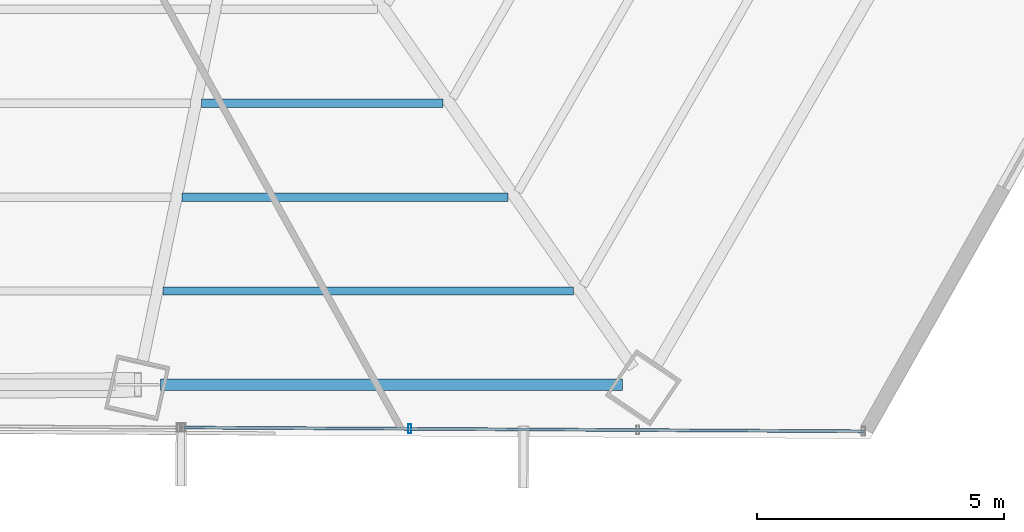
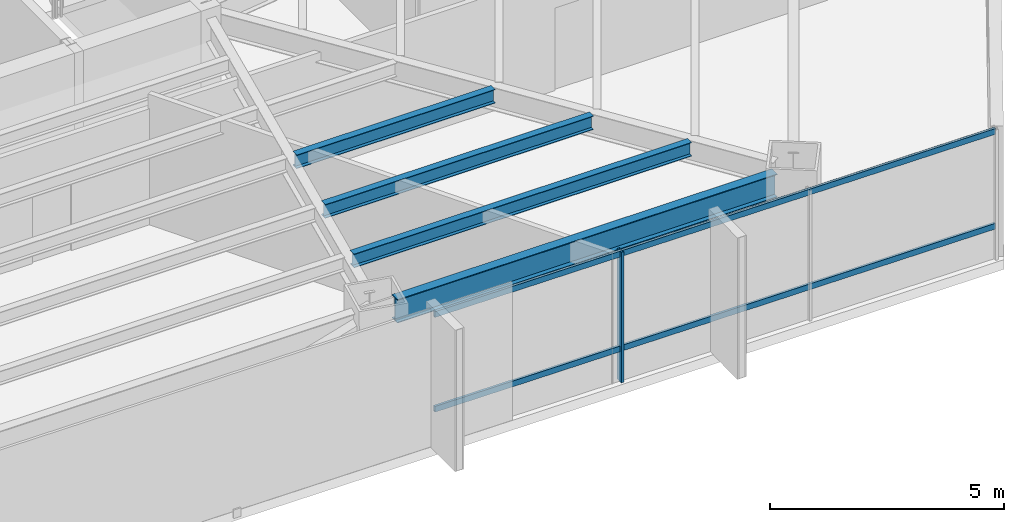
# One storey, part 15 of 36: 4 beams, 3 members, 1 element without a shape of its own.
"""IFC4 building model written with IfcOpenShell, lengths in metres."""

import ifcopenshell
import ifcopenshell.guid

model = None  # the IFC model being written
_history = None  # IfcOwnerHistory: only IFC2X3 demands one
_inside = {}  # id of a spatial element -> (the spatial element, [elements in it])
_under = {}  # id of a project, library or spatial element -> (it, [spatial elements below it])
_declared = {}  # id of a project -> (the project, [libraries it declares])
_typed = {}  # id of a type object -> (the type object, [elements of that type])
_made_of = {}  # id of a material, layer set ... -> (it, [elements and type objects made of it])


def new_model(schema):
    """Start an empty IFC model of exactly this schema.

    Asked for "IFC4X3", IfcOpenShell would pick the latest addendum, in which some entities
    have other attributes; the version numbers below select the first issue.
    IFC2X3 requires an IfcOwnerHistory on every rooted entity: one is made here for all.
    """
    global model, _history
    if schema == "IFC4X3":
        model = ifcopenshell.file(schema_version=(4, 3, 0, 0))
    else:
        model = ifcopenshell.file(schema=schema)
    _inside.clear()
    _under.clear()
    _declared.clear()
    _typed.clear()
    _made_of.clear()
    _history = None
    if model.schema == "IFC2X3":
        org = make("IfcOrganization", Name="unknown")
        user = make(
            "IfcPersonAndOrganization",
            ThePerson=make("IfcPerson", FamilyName="unknown"),
            TheOrganization=org,
        )
        app = make(
            "IfcApplication",
            ApplicationDeveloper=org,
            Version="unknown",
            ApplicationFullName="unknown",
            ApplicationIdentifier="unknown",
        )
        _history = make(
            "IfcOwnerHistory",
            OwningUser=user,
            OwningApplication=app,
            ChangeAction="ADDED",
            CreationDate=0,
        )
    return model


def make(cls, **values):
    """One entity of the class cls with the attributes given. An attribute that is None is left unset."""
    return model.create_entity(
        cls, **{name: value for name, value in values.items() if value is not None}
    )


def rooted(cls, **values):
    """An entity with a GlobalId (a new one), such as an element, a storey or a relation."""
    return make(cls, GlobalId=ifcopenshell.guid.new(), OwnerHistory=_history, **values)


def si_unit(unit_type, name, prefix=None):
    """IfcSIUnit, for example si_unit("LENGTHUNIT", "METRE", prefix="MILLI")."""
    return make("IfcSIUnit", UnitType=unit_type, Prefix=prefix, Name=name)


def assignment(units):
    """IfcUnitAssignment: the units of a project."""
    return None if units is None else make("IfcUnitAssignment", Units=units)


def point(xyz):
    """IfcCartesianPoint."""
    return None if xyz is None else make("IfcCartesianPoint", Coordinates=xyz)


def direction(xyz):
    """IfcDirection."""
    return None if xyz is None else make("IfcDirection", DirectionRatios=xyz)


def frame(location, z_axis=None, x_axis=None):
    """IfcAxis2Placement3D, a coordinate frame: its origin and axes. An axis left out is left unset."""
    return make(
        "IfcAxis2Placement3D",
        Location=point(location),
        Axis=direction(z_axis),
        RefDirection=direction(x_axis),
    )


def frame_2d(location, x_axis=None):
    """IfcAxis2Placement2D, a coordinate frame in the plane: its origin and x axis."""
    return make(
        "IfcAxis2Placement2D", Location=point(location), RefDirection=direction(x_axis)
    )


def origin():
    """The frame at (0, 0, 0) with its axes left unset."""
    return frame((0.0, 0.0, 0.0))


def origin_2d():
    """The frame at (0, 0) in the plane with its x axis left unset."""
    return frame_2d((0.0, 0.0))


def place(relative_to, where):
    """IfcLocalPlacement: puts the frame where relative to a parent placement (None: the world)."""
    return make(
        "IfcLocalPlacement", PlacementRelTo=relative_to, RelativePlacement=where
    )


def context(
    kind, dimensions, precision=None, world=None, true_north=None, identifier=None
):
    """IfcGeometricRepresentationContext, for example the 3D "Model" context."""
    return make(
        "IfcGeometricRepresentationContext",
        ContextIdentifier=identifier,
        ContextType=kind,
        CoordinateSpaceDimension=dimensions,
        Precision=precision,
        WorldCoordinateSystem=world,
        TrueNorth=true_north,
    )


def subcontext(parent, identifier, kind, view, scale=None):
    """IfcGeometricRepresentationSubContext, for example "Body" below "Model"."""
    return make(
        "IfcGeometricRepresentationSubContext",
        ContextIdentifier=identifier,
        ContextType=kind,
        ParentContext=parent,
        TargetScale=scale,
        TargetView=view,
    )


def project(units=None, contexts=None):
    """IfcProject with its units and contexts."""
    return rooted(
        "IfcProject",
        Name="project",
        RepresentationContexts=contexts,
        UnitsInContext=assignment(units),
    )


def spatial(cls, under=None, at=None, **own):
    """A site, building, storey or space (cls), placed at a placement, below another one or the project."""
    s = rooted(cls, ObjectPlacement=at, **own)
    if under is not None:
        _under.setdefault(under.id(), (under, []))[1].append(s)
    return s


def profile(cls, at=None, kind="AREA", **sizes):
    """A parametric profile (cls). Its sizes go by their IFC names, for example OverallWidth=200.0."""
    return make(cls, ProfileType=kind, Position=at, **sizes)


def hollow_rectangle(**sizes):
    """IfcRectangleHollowProfileDef."""
    return profile("IfcRectangleHollowProfileDef", **sizes)


def i_section(**sizes):
    """IfcIShapeProfileDef."""
    return profile("IfcIShapeProfileDef", **sizes)


def extrude(swept, where, along, depth):
    """IfcExtrudedAreaSolid: the profile swept, set in the frame where, extruded along a direction by depth."""
    return make(
        "IfcExtrudedAreaSolid",
        SweptArea=swept,
        Position=where,
        ExtrudedDirection=direction(along),
        Depth=depth,
    )


def shape(context_of_items, identifier, shape_type, items):
    """IfcShapeRepresentation: the items that make up one representation, for example the "Body"."""
    return make(
        "IfcShapeRepresentation",
        ContextOfItems=context_of_items,
        RepresentationIdentifier=identifier,
        RepresentationType=shape_type,
        Items=items,
    )


def source(mapping_origin, context_of_items, identifier, shape_type, items):
    """IfcRepresentationMap: a shape defined once, which mapped items show again and again."""
    return make(
        "IfcRepresentationMap",
        MappingOrigin=mapping_origin,
        MappedRepresentation=shape(context_of_items, identifier, shape_type, items),
    )


def transform(
    local_origin,
    x_axis=None,
    y_axis=None,
    z_axis=None,
    scale=None,
    scale2=None,
    scale3=None,
    uniform=True,
):
    """IfcCartesianTransformationOperator3D, or its non-uniform kind. x_axis, y_axis, z_axis: its Axis1, 2, 3."""
    if uniform:
        return make(
            "IfcCartesianTransformationOperator3D",
            Axis1=direction(x_axis),
            Axis2=direction(y_axis),
            LocalOrigin=point(local_origin),
            Scale=scale,
            Axis3=direction(z_axis),
        )
    return make(
        "IfcCartesianTransformationOperator3DnonUniform",
        Axis1=direction(x_axis),
        Axis2=direction(y_axis),
        LocalOrigin=point(local_origin),
        Scale=scale,
        Axis3=direction(z_axis),
        Scale2=scale2,
        Scale3=scale3,
    )


def mapped(mapping_source, mapping_target):
    """IfcMappedItem: shows the shape of a source again, moved by a transform."""
    return make(
        "IfcMappedItem", MappingSource=mapping_source, MappingTarget=mapping_target
    )


def material(Name=None, Category=None):
    """IfcMaterial."""
    return make("IfcMaterial", Name=Name, Category=Category)


def material_profile(
    of_material, cross_section, Name=None, Category=None, Priority=None
):
    """IfcMaterialProfile: a cross section and its material."""
    return make(
        "IfcMaterialProfile",
        Name=Name,
        Material=of_material,
        Profile=cross_section,
        Priority=Priority,
        Category=Category,
    )


def profile_set(profiles, Name=None, composite=None):
    """IfcMaterialProfileSet."""
    return make(
        "IfcMaterialProfileSet",
        Name=Name,
        MaterialProfiles=profiles,
        CompositeProfile=composite,
    )


def made_of(thing, what):
    """Note that an element or type object is made of a material, layer set ...; save() writes the relation."""
    if what is not None:
        _made_of.setdefault(what.id(), (what, []))[1].append(thing)
    return thing


def type_object(cls, material=None, **own):
    """A type object (cls), such as IfcWallType, which elements share."""
    return made_of(rooted(cls, **own), material)


def type_shapes(of_type, sources):
    """Give a type object the sources (RepresentationMaps) that its elements show as mapped items."""
    of_type.RepresentationMaps = sources


def element(
    cls,
    number,
    at=None,
    inside=None,
    cuts=None,
    type_object=None,
    material=None,
    context=None,
    identifier="Body",
    shape_type=None,
    held_by="IfcProductDefinitionShape",
    body=None,
    shapes=None,
    **own,
):
    """One element of the class cls, such as IfcWall. Its Tag is "e" and its number.

    at: its placement. inside: the storey or other place that contains it. cuts: it is an
    opening in that element (IfcRelVoidsElement). A single representation is given by context,
    identifier, shape_type and body (its items); several are given by shapes. held_by: the class
    of the entity that holds the representations. save() writes the other relations.
    """
    e = rooted(cls, Tag="e%d" % number, ObjectPlacement=at, **own)
    if body is not None:
        shapes = [shape(context, identifier, shape_type, body)]
    if shapes is not None:
        e.Representation = make(held_by, Representations=shapes)
    if inside is not None:
        _inside.setdefault(inside.id(), (inside, []))[1].append(e)
    if cuts is not None:
        rooted(
            "IfcRelVoidsElement", RelatingBuildingElement=cuts, RelatedOpeningElement=e
        )
    if type_object is not None:
        _typed.setdefault(type_object.id(), (type_object, []))[1].append(e)
    return made_of(e, material)


def aggregate(whole, parts):
    """IfcRelAggregates: a whole, such as a stair, and the parts it consists of."""
    return rooted("IfcRelAggregates", RelatingObject=whole, RelatedObjects=parts)


def save(model, path):
    """Write the relations noted so far, then the file.

    IfcRelAggregates (storeys below a building ...), IfcRelContainedInSpatialStructure (elements
    in a storey), IfcRelDefinesByType, IfcRelAssociatesMaterial and IfcRelDeclares: one each for
    every whole, place, type object, material and project.
    """
    for whole, parts in _under.values():
        aggregate(whole, parts)
    for where, things in _inside.values():
        rooted(
            "IfcRelContainedInSpatialStructure",
            RelatedElements=things,
            RelatingStructure=where,
        )
    for kind, things in _typed.values():
        rooted("IfcRelDefinesByType", RelatedObjects=things, RelatingType=kind)
    for what, things in _made_of.values():
        rooted("IfcRelAssociatesMaterial", RelatedObjects=things, RelatingMaterial=what)
    for by, libraries in _declared.values():
        rooted("IfcRelDeclares", RelatingContext=by, RelatedDefinitions=libraries)
    model.write(path)


model = new_model("IFC4")

# Units and contexts
model_context = context("Model", 3, precision=1e-05, world=origin(), true_north=direction((0.0, 1.0)))
body_context = subcontext(model_context, "Body", "Model", "MODEL_VIEW")
ifc_project = project(units=[si_unit("LENGTHUNIT", "METRE"), si_unit("AREAUNIT", "SQUARE_METRE"), si_unit("VOLUMEUNIT", "CUBIC_METRE"), si_unit("PLANEANGLEUNIT", "RADIAN"), si_unit("MASSUNIT", "GRAM", prefix="KILO")], contexts=[model_context])

# Site, building, storey
site_placement = place(None, origin())
site = spatial("IfcSite", under=ifc_project, at=site_placement, CompositionType="ELEMENT")
building_placement = place(site_placement, origin())
building = spatial("IfcBuilding", under=site, at=building_placement, Name="Caelisora Broadcast Tower", CompositionType="ELEMENT")
storey_placement = place(building_placement, frame((0.0, 0.0, 83.5)))
storey = spatial("IfcBuildingStorey", under=building, at=storey_placement, Name="L21", CompositionType="ELEMENT", Elevation=83.5)

# Beams
ifc_material_1 = material(Name="Steel Grade 350 (AS/NZS 3679.1)", Category="steel")
ifc_material_profile_1 = material_profile(ifc_material_1, i_section(OverallWidth=0.22900390625, OverallDepth=0.611572265625, WebThickness=0.011962890625, FlangeThickness=0.01953125, at=origin_2d()), Name="Steel Grade 350 (AS/NZS 3679.1)")
ifc_profile_set_1 = profile_set([ifc_material_profile_1], Name="Steel Grade 350 (AS/NZS 3679.1)")
beam_type_1 = type_object("IfcBeamType", Name="PG03", PredefinedType="BEAM", material=ifc_profile_set_1)
shared_shape_1 = source(origin(), body_context, "Body", "SweptSolid", [
    extrude(i_section(OverallWidth=0.22900390625, OverallDepth=0.611572265625, WebThickness=0.011962890625, FlangeThickness=0.01953125, at=origin_2d()), origin(), (0.0, 0.0, 1.0), 9.36962890625),
])
type_shapes(beam_type_1, [shared_shape_1])
beam_1_placement = place(storey_placement, frame((43.604736328125, 5.9794921875, 3.09423828125), z_axis=(1.0, 0.0, 0.0), x_axis=(0.0, 1.0, 0.0)))
element("IfcBeam", 1, at=beam_1_placement, inside=storey, type_object=beam_type_1, Name="L21 beam PG03", PredefinedType="BEAM", context=body_context, shape_type="MappedRepresentation", body=[
    mapped(shared_shape_1, transform((0.0, 0.0, 0.0), scale=1.0)),
])
ifc_material_profile_2 = material_profile(ifc_material_1, i_section(OverallWidth=0.172119140625, OverallDepth=0.358642578125, WebThickness=0.008056640625, FlangeThickness=0.012939453125, at=origin_2d()), Name="Steel Grade 350 (AS/NZS 3679.1)")
ifc_profile_set_2 = profile_set([ifc_material_profile_2], Name="Steel Grade 350 (AS/NZS 3679.1)")
beam_type_2 = type_object("IfcBeamType", Name="SB02", PredefinedType="JOIST", material=ifc_profile_set_2)
shared_shape_2 = source(origin(), body_context, "Body", "SweptSolid", [
    extrude(i_section(OverallWidth=0.172119140625, OverallDepth=0.358642578125, WebThickness=0.008056640625, FlangeThickness=0.012939453125, at=origin_2d()), origin(), (0.0, 0.0, 1.0), 4.8955078125),
])
beam_2_placement = place(storey_placement, frame((44.435791015625, 11.689697265625, 3.220703125), z_axis=(1.0, 0.0, 0.0), x_axis=(0.0, 1.0, 0.0)))
element("IfcBeam", 2, at=beam_2_placement, inside=storey, type_object=beam_type_2, Name="L21 beam SB02", PredefinedType="JOIST", context=body_context, shape_type="MappedRepresentation", body=[
    mapped(shared_shape_2, transform((0.0, 0.0, 0.0), scale=1.0)),
])
shared_shape_3 = source(origin(), body_context, "Body", "SweptSolid", [
    extrude(i_section(OverallWidth=0.172119140625, OverallDepth=0.358642578125, WebThickness=0.008056640625, FlangeThickness=0.012939453125, at=origin_2d()), origin(), (0.0, 0.0, 1.0), 6.610595703125),
])
beam_3_placement = place(storey_placement, frame((44.043212890625, 9.786376953125, 3.220703125), z_axis=(1.0, 0.0, 0.0), x_axis=(0.0, 1.0, 0.0)))
element("IfcBeam", 3, at=beam_3_placement, inside=storey, type_object=beam_type_2, Name="L21 beam SB02", PredefinedType="JOIST", context=body_context, shape_type="MappedRepresentation", body=[
    mapped(shared_shape_3, transform((0.0, 0.0, 0.0), scale=1.0)),
])
shared_shape_4 = source(origin(), body_context, "Body", "SweptSolid", [
    extrude(i_section(OverallWidth=0.172119140625, OverallDepth=0.358642578125, WebThickness=0.008056640625, FlangeThickness=0.012939453125, at=origin_2d()), origin(), (0.0, 0.0, 1.0), 8.32568359375),
])
type_shapes(beam_type_2, [shared_shape_2, shared_shape_3, shared_shape_4])
beam_4_placement = place(storey_placement, frame((43.650634765625, 7.8828125, 3.220703125), z_axis=(1.0, 0.0, 0.0), x_axis=(0.0, 1.0, 0.0)))
element("IfcBeam", 4, at=beam_4_placement, inside=storey, type_object=beam_type_2, Name="L21 beam SB02", PredefinedType="JOIST", context=body_context, shape_type="MappedRepresentation", body=[
    mapped(shared_shape_4, transform((0.0, 0.0, 0.0), scale=1.0)),
])

# Curtain wall, members
ifc_material_2 = material(Name="Unitised Aluminium and Low-E Glass Curtain Wall", Category="glass")
curtain_wall_type = type_object("IfcCurtainWallType", Name="CW-Z2", PredefinedType="NOTDEFINED", material=ifc_material_2)
curtain_wall_placement = place(storey_placement, origin())
curtain_wall = element("IfcCurtainWall", 5, at=curtain_wall_placement, inside=storey, type_object=curtain_wall_type, Name="L21 curtain wall CW-Z2", PredefinedType="NOTDEFINED")
ifc_material_3 = material(Name="Aluminium 6063-T6 Anodised Terracotta Bronze", Category="aluminium")
ifc_material_profile_3 = material_profile(ifc_material_3, hollow_rectangle(XDim=0.06494140625, YDim=0.179931640625, WallThickness=0.00341796875, at=origin_2d()), Name="Aluminium 6063-T6 Anodised Terracotta Bronze")
ifc_profile_set_3 = profile_set([ifc_material_profile_3], Name="Aluminium 6063-T6 Anodised Terracotta Bronze")
member_type_1 = type_object("IfcMemberType", Name="CWM-02", PredefinedType="MULLION", material=ifc_profile_set_3)
shared_shape_5 = source(origin(), body_context, "Body", "SweptSolid", [
    extrude(hollow_rectangle(XDim=0.06494140625, YDim=0.179931640625, WallThickness=0.00341796875, at=origin_2d()), origin(), (0.0, 0.0, 1.0), 3.39990234375),
])
type_shapes(member_type_1, [shared_shape_5])
member_1_placement = place(storey_placement, frame((48.65576171875, 5.087890625, 0.0), z_axis=(0.0, 0.0, 1.0), x_axis=(1.0, 0.0, 0.0)))
member_1 = element("IfcMember", 6, at=member_1_placement, type_object=member_type_1, Name="L21-CW-B05 mullion #2", PredefinedType="MULLION", context=body_context, shape_type="MappedRepresentation", body=[
    mapped(shared_shape_5, transform((0.0, 0.0, 0.0), scale=1.0)),
])
ifc_material_profile_4 = material_profile(ifc_material_3, hollow_rectangle(XDim=0.06005859375, YDim=0.14990234375, WallThickness=0.00341796875, at=origin_2d()), Name="Aluminium 6063-T6 Anodised Terracotta Bronze")
ifc_profile_set_4 = profile_set([ifc_material_profile_4], Name="Aluminium 6063-T6 Anodised Terracotta Bronze")
member_type_2 = type_object("IfcMemberType", Name="CWT-02", PredefinedType="USERDEFINED", material=ifc_profile_set_4)
shared_shape_6 = source(origin(), body_context, "Body", "SweptSolid", [
    extrude(hollow_rectangle(XDim=0.06005859375, YDim=0.14990234375, WallThickness=0.00341796875, at=origin_2d()), origin(), (0.0, 0.0, 1.0), 13.780029296875),
])
type_shapes(member_type_2, [shared_shape_6])
member_2_placement = place(storey_placement, frame((57.85888671875, 5.037353515625, 0.85009765625), z_axis=(-0.999984819849, 0.005509997501, 0.0), x_axis=(-0.005509997501, -0.999984819849, 0.0)))
member_2 = element("IfcMember", 7, at=member_2_placement, type_object=member_type_2, Name="L21-CW-B05 transom #1", ObjectType="TRANSOM", PredefinedType="USERDEFINED", context=body_context, shape_type="MappedRepresentation", body=[
    mapped(shared_shape_6, transform((0.0, 0.0, 0.0), scale=1.0)),
])
member_3_placement = place(storey_placement, frame((57.85888671875, 5.037353515625, 3.320068359375), z_axis=(-0.999984819849, 0.005509997501, 0.0), x_axis=(-0.005509997501, -0.999984819849, 0.0)))
member_3 = element("IfcMember", 8, at=member_3_placement, type_object=member_type_2, Name="L21-CW-B05 transom #2", ObjectType="TRANSOM", PredefinedType="USERDEFINED", context=body_context, shape_type="MappedRepresentation", body=[
    mapped(shared_shape_6, transform((0.0, 0.0, 0.0), scale=1.0)),
])
aggregate(curtain_wall, [member_1, member_2, member_3])

save(model, "model.ifc")
